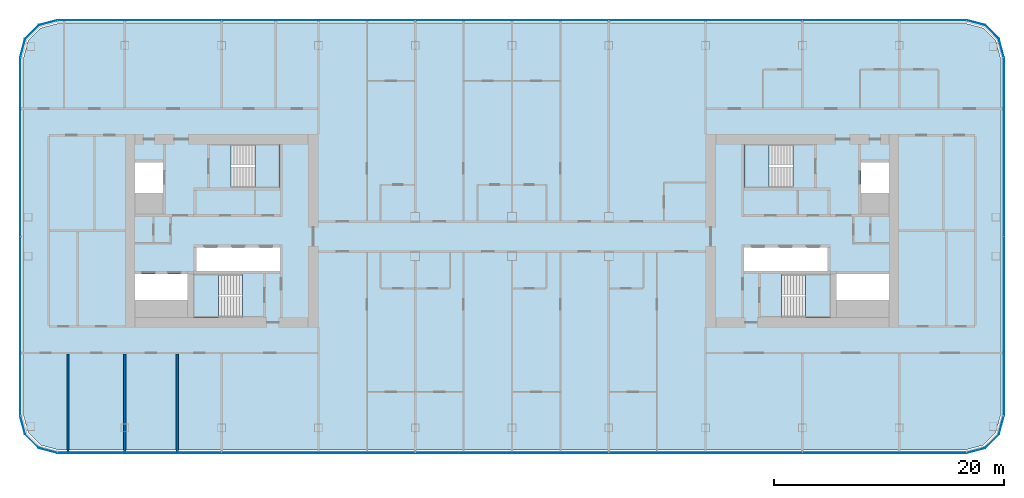
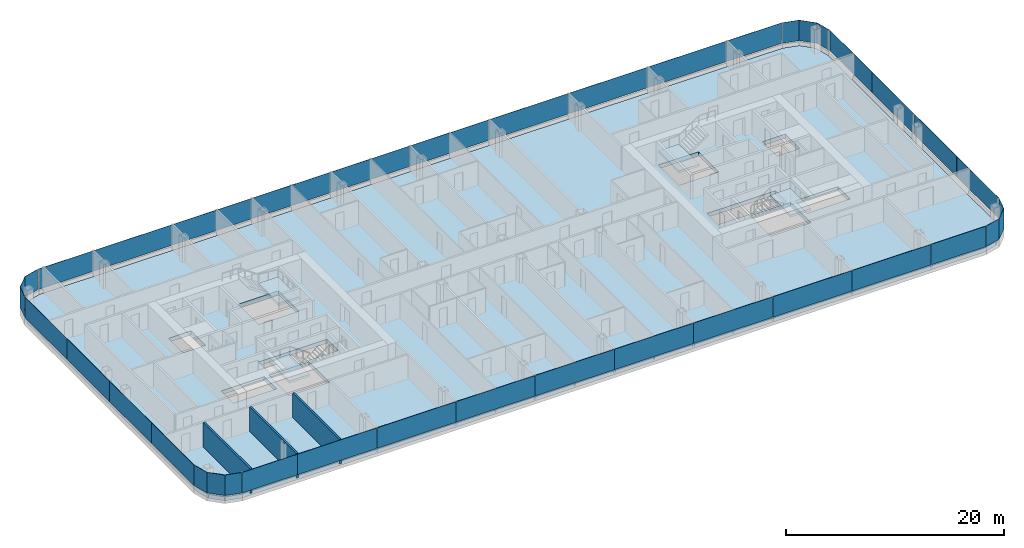
# One storey, part 11 of 26: 32 plates, 5 slabs, 3 walls, 12 elements without a shape of their own.
"""IFC4 building model written with IfcOpenShell, lengths in metres."""

from ifc_helpers import new_model, si_unit, direction, frame, frame_2d, origin, origin_2d, place, context, subcontext, project, spatial, polyline, rectangle, outline, extrude, material, layer, layer_set, type_object, element, aggregate, save


model = new_model("IFC4")

# Units and contexts
model_context = context("Model", 3, precision=1e-05, world=origin(), true_north=direction((0.0, 1.0)))
body_context = subcontext(model_context, "Body", "Model", "MODEL_VIEW")
ifc_project = project(units=[si_unit("LENGTHUNIT", "METRE"), si_unit("AREAUNIT", "SQUARE_METRE"), si_unit("VOLUMEUNIT", "CUBIC_METRE"), si_unit("PLANEANGLEUNIT", "RADIAN"), si_unit("MASSUNIT", "GRAM", prefix="KILO")], contexts=[model_context])

# Site, building, storey
site_placement = place(None, origin())
site = spatial("IfcSite", under=ifc_project, at=site_placement, CompositionType="ELEMENT")
building_placement = place(site_placement, origin())
building = spatial("IfcBuilding", under=site, at=building_placement, Name="Hakoniwa Tower and Hamabe Station Hall", CompositionType="ELEMENT")
storey_placement = place(building_placement, frame((0.0, 0.0, 159.800048828125)))
storey = spatial("IfcBuildingStorey", under=building, at=storey_placement, Name="L45", CompositionType="ELEMENT", Elevation=159.800048828125)

# Stair, slab
ifc_material_1 = material(Name="Concrete C40", Category="concrete")
stair_type = type_object("IfcStairType", Name="ESCAPE STAIR 1800", PredefinedType="HALF_TURN_STAIR", material=ifc_material_1)
stair_1_placement = place(storey_placement, origin())
stair_1 = element("IfcStair", 1, at=stair_1_placement, inside=storey, type_object=stair_type, Name="Escape stair ST-1 L45", PredefinedType="HALF_TURN_STAIR")
ifc_material_2 = material(Name="Concrete C40", Category="concrete")
ifc_layer_1 = layer(ifc_material_2, 0.25)
ifc_layer_set_1 = layer_set([ifc_layer_1], Name="CORE STAIR LANDING 250")
slab_type_1 = type_object("IfcSlabType", Name="CORE STAIR LANDING 250", PredefinedType="LANDING", material=ifc_layer_set_1)
slab_1_placement = place(storey_placement, frame((0.0, 0.0, 1.349853515625)))
slab_1 = element("IfcSlab", 2, at=slab_1_placement, type_object=slab_type_1, Name="ST-1 landing 1", PredefinedType="LANDING", context=body_context, shape_type="SweptSolid", body=[
    extrude(outline(polyline([(-22.320068359375, 3.75), (-20.14990234375, 3.75), (-20.14990234375, 7.5), (-22.320068359375, 7.5), (-22.320068359375, 3.75)])), origin(), (0.0, 0.0, 1.0), 0.25),
])
aggregate(stair_1, [slab_1])

stair_2_placement = place(storey_placement, origin())
stair_2 = element("IfcStair", 3, at=stair_2_placement, inside=storey, type_object=stair_type, Name="Escape stair ST-2 L45", PredefinedType="HALF_TURN_STAIR")
slab_2_placement = place(storey_placement, frame((0.0, 0.0, 1.349853515625)))
slab_2 = element("IfcSlab", 4, at=slab_2_placement, type_object=slab_type_1, Name="ST-2 landing 1", PredefinedType="LANDING", context=body_context, shape_type="SweptSolid", body=[
    extrude(outline(polyline([(-25.47998046875, -7.5), (-27.64990234375, -7.5), (-27.64990234375, -3.75), (-25.47998046875, -3.75), (-25.47998046875, -7.5)])), origin(), (0.0, 0.0, 1.0), 0.25),
])
aggregate(stair_2, [slab_2])

stair_3_placement = place(storey_placement, origin())
stair_3 = element("IfcStair", 5, at=stair_3_placement, inside=storey, type_object=stair_type, Name="Escape stair ST-3 L45", PredefinedType="HALF_TURN_STAIR")
slab_3_placement = place(storey_placement, frame((0.0, 0.0, 1.349853515625)))
slab_3 = element("IfcSlab", 6, at=slab_3_placement, type_object=slab_type_1, Name="ST-3 landing 1", PredefinedType="LANDING", context=body_context, shape_type="SweptSolid", body=[
    extrude(outline(polyline([(22.320068359375, 3.75), (20.14990234375, 3.75), (20.14990234375, 7.5), (22.320068359375, 7.5), (22.320068359375, 3.75)])), origin(), (0.0, 0.0, 1.0), 0.25),
])
aggregate(stair_3, [slab_3])

stair_4_placement = place(storey_placement, origin())
stair_4 = element("IfcStair", 7, at=stair_4_placement, inside=storey, type_object=stair_type, Name="Escape stair ST-4 L45", PredefinedType="HALF_TURN_STAIR")
slab_4_placement = place(storey_placement, frame((0.0, 0.0, 1.349853515625)))
slab_4 = element("IfcSlab", 8, at=slab_4_placement, type_object=slab_type_1, Name="ST-4 landing 1", PredefinedType="LANDING", context=body_context, shape_type="SweptSolid", body=[
    extrude(outline(polyline([(25.47998046875, -7.5), (27.64990234375, -7.5), (27.64990234375, -3.75), (25.47998046875, -3.75), (25.47998046875, -7.5)])), origin(), (0.0, 0.0, 1.0), 0.25),
])
aggregate(stair_4, [slab_4])

# Curtain wall, plates
ifc_material_3 = material(Name="Dark low-e laminated glass", Category="glass")
ifc_layer_2 = layer(ifc_material_3, 0.199951171875)
ifc_layer_set_2 = layer_set([ifc_layer_2], Name="CW-1 UNITISED GUEST")
curtain_wall_type = type_object("IfcCurtainWallType", Name="CW-1 UNITISED GUEST", PredefinedType="NOTDEFINED", material=ifc_layer_set_2)
curtain_wall_1_placement = place(storey_placement, origin())
curtain_wall_1 = element("IfcCurtainWall", 9, at=curtain_wall_1_placement, inside=storey, type_object=curtain_wall_type, Name="CW-1 curtain wall", PredefinedType="NOTDEFINED")
ifc_material_4 = material(Name="Dark low-e laminated glass", Category="glass")
ifc_layer_3 = layer(ifc_material_4, 0.028076171875)
ifc_layer_set_3 = layer_set([ifc_layer_3], Name="CW-1 GLASS UNIT")
plate_type = type_object("IfcPlateType", Name="CW-1 GLASS UNIT", PredefinedType="CURTAIN_PANEL", material=ifc_layer_set_3)
plate_1_placement = place(storey_placement, frame((42.68603515625, -12.154541015625, 0.35009765625), z_axis=(0.0, 0.0, 1.0), x_axis=(0.0, 1.0, 0.0)))
plate_1 = element("IfcPlate", 10, at=plate_1_placement, type_object=plate_type, Name="CW-1 glass unit", PredefinedType="CURTAIN_PANEL", context=body_context, shape_type="SweptSolid", body=[
    extrude(rectangle(XDim=7.749755859375, YDim=0.028076171875, at=origin_2d()), origin(), (0.0, 0.0, 1.0), 2.300048828125),
])
plate_2_placement = place(storey_placement, frame((42.68603515625, -4.384765625, 0.35009765625), z_axis=(0.0, 0.0, 1.0), x_axis=(0.0, 1.0, 0.0)))
plate_2 = element("IfcPlate", 11, at=plate_2_placement, type_object=plate_type, Name="CW-1 glass unit", PredefinedType="CURTAIN_PANEL", context=body_context, shape_type="SweptSolid", body=[
    extrude(rectangle(XDim=7.749755859375, YDim=0.028076171875, at=origin_2d()), origin(), (0.0, 0.0, 1.0), 2.300048828125),
])
plate_3_placement = place(storey_placement, frame((42.68603515625, 3.384765625, 0.35009765625), z_axis=(0.0, 0.0, 1.0), x_axis=(0.0, 1.0, 0.0)))
plate_3 = element("IfcPlate", 12, at=plate_3_placement, type_object=plate_type, Name="CW-1 glass unit", PredefinedType="CURTAIN_PANEL", context=body_context, shape_type="SweptSolid", body=[
    extrude(rectangle(XDim=7.749755859375, YDim=0.028076171875, at=origin_2d()), origin(), (0.0, 0.0, 1.0), 2.300048828125),
])
plate_4_placement = place(storey_placement, frame((42.68603515625, 11.154541015625, 0.35009765625), z_axis=(0.0, 0.0, 1.0), x_axis=(0.0, 1.0, 0.0)))
plate_4 = element("IfcPlate", 13, at=plate_4_placement, type_object=plate_type, Name="CW-1 glass unit", PredefinedType="CURTAIN_PANEL", context=body_context, shape_type="SweptSolid", body=[
    extrude(rectangle(XDim=7.749755859375, YDim=0.028076171875, at=origin_2d()), origin(), (0.0, 0.0, 1.0), 2.300048828125),
])
aggregate(curtain_wall_1, [plate_1, plate_2, plate_3, plate_4])

# Curtain wall, plate
curtain_wall_2_placement = place(storey_placement, origin())
curtain_wall_2 = element("IfcCurtainWall", 14, at=curtain_wall_2_placement, inside=storey, type_object=curtain_wall_type, Name="CW-1 curtain wall", PredefinedType="NOTDEFINED")
plate_5_placement = place(storey_placement, frame((0.0, 0.0, 0.349853515625)))
plate_5 = element("IfcPlate", 15, at=plate_5_placement, type_object=plate_type, Name="CW-1 curved corner unit", PredefinedType="CURTAIN_PANEL", context=body_context, shape_type="SweptSolid", body=[
    extrude(outline(polyline([(42.689697265625, 15.078125), (42.26708984375, 16.6552734375), (41.05517578125, 17.866943359375), (39.47802734375, 18.28955078125), (39.470947265625, 18.2626953125), (41.040771484375, 17.842041015625), (42.241943359375, 16.640869140625), (42.66259765625, 15.07080078125), (42.689697265625, 15.078125)])), origin(), (0.0, 0.0, 1.0), 2.300048828125),
])
aggregate(curtain_wall_2, [plate_5])

# Curtain wall, plates
curtain_wall_3_placement = place(storey_placement, origin())
curtain_wall_3 = element("IfcCurtainWall", 16, at=curtain_wall_3_placement, inside=storey, type_object=curtain_wall_type, Name="CW-1 curtain wall", PredefinedType="NOTDEFINED")
plate_6_placement = place(storey_placement, frame((36.519775390625, 18.285888671875, 0.35009765625), z_axis=(0.0, 0.0, 1.0), x_axis=(-1.0, 0.0, 0.0)))
plate_6 = element("IfcPlate", 17, at=plate_6_placement, type_object=plate_type, Name="CW-1 glass unit", PredefinedType="CURTAIN_PANEL", context=body_context, shape_type="SweptSolid", body=[
    extrude(rectangle(XDim=5.819580078125, YDim=0.028076171875, at=origin_2d()), origin(), (0.0, 0.0, 1.0), 2.300048828125),
])
plate_7_placement = place(storey_placement, frame((29.39990234375, 18.285888671875, 0.35009765625), z_axis=(0.0, 0.0, 1.0), x_axis=(-1.0, 0.0, 0.0)))
plate_7 = element("IfcPlate", 18, at=plate_7_placement, type_object=plate_type, Name="CW-1 glass unit", PredefinedType="CURTAIN_PANEL", context=body_context, shape_type="SweptSolid", body=[
    extrude(rectangle(XDim=8.3798828125, YDim=0.028076171875, at=origin_2d()), origin(), (0.0, 0.0, 1.0), 2.300048828125),
])
plate_8_placement = place(storey_placement, frame((21.0, 18.285888671875, 0.35009765625), z_axis=(0.0, 0.0, 1.0), x_axis=(-1.0, 0.0, 0.0)))
plate_8 = element("IfcPlate", 19, at=plate_8_placement, type_object=plate_type, Name="CW-1 glass unit", PredefinedType="CURTAIN_PANEL", context=body_context, shape_type="SweptSolid", body=[
    extrude(rectangle(XDim=8.3798828125, YDim=0.028076171875, at=origin_2d()), origin(), (0.0, 0.0, 1.0), 2.300048828125),
])
plate_9_placement = place(storey_placement, frame((12.60009765625, 18.285888671875, 0.35009765625), z_axis=(0.0, 0.0, 1.0), x_axis=(-1.0, 0.0, 0.0)))
plate_9 = element("IfcPlate", 20, at=plate_9_placement, type_object=plate_type, Name="CW-1 glass unit", PredefinedType="CURTAIN_PANEL", context=body_context, shape_type="SweptSolid", body=[
    extrude(rectangle(XDim=8.3798828125, YDim=0.028076171875, at=origin_2d()), origin(), (0.0, 0.0, 1.0), 2.300048828125),
])
plate_10_placement = place(storey_placement, frame((4.199951171875, 18.285888671875, 0.35009765625), z_axis=(0.0, 0.0, 1.0), x_axis=(-1.0, 0.0, 0.0)))
plate_10 = element("IfcPlate", 21, at=plate_10_placement, type_object=plate_type, Name="CW-1 glass unit", PredefinedType="CURTAIN_PANEL", context=body_context, shape_type="SweptSolid", body=[
    extrude(rectangle(XDim=8.3798828125, YDim=0.028076171875, at=origin_2d()), origin(), (0.0, 0.0, 1.0), 2.300048828125),
])
plate_11_placement = place(storey_placement, frame((-4.199951171875, 18.285888671875, 0.35009765625), z_axis=(0.0, 0.0, 1.0), x_axis=(-1.0, 0.0, 0.0)))
plate_11 = element("IfcPlate", 22, at=plate_11_placement, type_object=plate_type, Name="CW-1 glass unit", PredefinedType="CURTAIN_PANEL", context=body_context, shape_type="SweptSolid", body=[
    extrude(rectangle(XDim=8.3798828125, YDim=0.028076171875, at=origin_2d()), origin(), (0.0, 0.0, 1.0), 2.300048828125),
])
plate_12_placement = place(storey_placement, frame((-12.60009765625, 18.285888671875, 0.35009765625), z_axis=(0.0, 0.0, 1.0), x_axis=(-1.0, 0.0, 0.0)))
plate_12 = element("IfcPlate", 23, at=plate_12_placement, type_object=plate_type, Name="CW-1 glass unit", PredefinedType="CURTAIN_PANEL", context=body_context, shape_type="SweptSolid", body=[
    extrude(rectangle(XDim=8.3798828125, YDim=0.028076171875, at=origin_2d()), origin(), (0.0, 0.0, 1.0), 2.300048828125),
])
plate_13_placement = place(storey_placement, frame((-21.0, 18.285888671875, 0.35009765625), z_axis=(0.0, 0.0, 1.0), x_axis=(-1.0, 0.0, 0.0)))
plate_13 = element("IfcPlate", 24, at=plate_13_placement, type_object=plate_type, Name="CW-1 glass unit", PredefinedType="CURTAIN_PANEL", context=body_context, shape_type="SweptSolid", body=[
    extrude(rectangle(XDim=8.3798828125, YDim=0.028076171875, at=origin_2d()), origin(), (0.0, 0.0, 1.0), 2.300048828125),
])
plate_14_placement = place(storey_placement, frame((-29.39990234375, 18.285888671875, 0.35009765625), z_axis=(0.0, 0.0, 1.0), x_axis=(-1.0, 0.0, 0.0)))
plate_14 = element("IfcPlate", 25, at=plate_14_placement, type_object=plate_type, Name="CW-1 glass unit", PredefinedType="CURTAIN_PANEL", context=body_context, shape_type="SweptSolid", body=[
    extrude(rectangle(XDim=8.3798828125, YDim=0.028076171875, at=origin_2d()), origin(), (0.0, 0.0, 1.0), 2.300048828125),
])
plate_15_placement = place(storey_placement, frame((-36.519775390625, 18.285888671875, 0.35009765625), z_axis=(0.0, 0.0, 1.0), x_axis=(-1.0, 0.0, 0.0)))
plate_15 = element("IfcPlate", 26, at=plate_15_placement, type_object=plate_type, Name="CW-1 glass unit", PredefinedType="CURTAIN_PANEL", context=body_context, shape_type="SweptSolid", body=[
    extrude(rectangle(XDim=5.819580078125, YDim=0.028076171875, at=origin_2d()), origin(), (0.0, 0.0, 1.0), 2.300048828125),
])
aggregate(curtain_wall_3, [plate_6, plate_7, plate_8, plate_9, plate_10, plate_11, plate_12, plate_13, plate_14, plate_15])

# Curtain wall, plate
curtain_wall_4_placement = place(storey_placement, origin())
curtain_wall_4 = element("IfcCurtainWall", 27, at=curtain_wall_4_placement, inside=storey, type_object=curtain_wall_type, Name="CW-1 curtain wall", PredefinedType="NOTDEFINED")
plate_16_placement = place(storey_placement, frame((0.0, 0.0, 0.349853515625)))
plate_16 = element("IfcPlate", 28, at=plate_16_placement, type_object=plate_type, Name="CW-1 curved corner unit", PredefinedType="CURTAIN_PANEL", context=body_context, shape_type="SweptSolid", body=[
    extrude(outline(polyline([(-39.47802734375, 18.28955078125), (-41.05517578125, 17.866943359375), (-42.26708984375, 16.6552734375), (-42.689697265625, 15.078125), (-42.66259765625, 15.07080078125), (-42.241943359375, 16.640869140625), (-41.040771484375, 17.842041015625), (-39.470947265625, 18.2626953125), (-39.47802734375, 18.28955078125)])), origin(), (0.0, 0.0, 1.0), 2.300048828125),
])
aggregate(curtain_wall_4, [plate_16])

# Curtain wall, plates
curtain_wall_5_placement = place(storey_placement, origin())
curtain_wall_5 = element("IfcCurtainWall", 29, at=curtain_wall_5_placement, inside=storey, type_object=curtain_wall_type, Name="CW-1 curtain wall", PredefinedType="NOTDEFINED")
plate_17_placement = place(storey_placement, frame((-42.68603515625, 11.154541015625, 0.35009765625), z_axis=(0.0, 0.0, 1.0), x_axis=(0.0, -1.0, 0.0)))
plate_17 = element("IfcPlate", 30, at=plate_17_placement, type_object=plate_type, Name="CW-1 glass unit", PredefinedType="CURTAIN_PANEL", context=body_context, shape_type="SweptSolid", body=[
    extrude(rectangle(XDim=7.749755859375, YDim=0.028076171875, at=origin_2d()), origin(), (0.0, 0.0, 1.0), 2.300048828125),
])
plate_18_placement = place(storey_placement, frame((-42.68603515625, 3.384765625, 0.35009765625), z_axis=(0.0, 0.0, 1.0), x_axis=(0.0, -1.0, 0.0)))
plate_18 = element("IfcPlate", 31, at=plate_18_placement, type_object=plate_type, Name="CW-1 glass unit", PredefinedType="CURTAIN_PANEL", context=body_context, shape_type="SweptSolid", body=[
    extrude(rectangle(XDim=7.749755859375, YDim=0.028076171875, at=origin_2d()), origin(), (0.0, 0.0, 1.0), 2.300048828125),
])
plate_19_placement = place(storey_placement, frame((-42.68603515625, -4.384765625, 0.35009765625), z_axis=(0.0, 0.0, 1.0), x_axis=(0.0, -1.0, 0.0)))
plate_19 = element("IfcPlate", 32, at=plate_19_placement, type_object=plate_type, Name="CW-1 glass unit", PredefinedType="CURTAIN_PANEL", context=body_context, shape_type="SweptSolid", body=[
    extrude(rectangle(XDim=7.749755859375, YDim=0.028076171875, at=origin_2d()), origin(), (0.0, 0.0, 1.0), 2.300048828125),
])
plate_20_placement = place(storey_placement, frame((-42.68603515625, -12.154541015625, 0.35009765625), z_axis=(0.0, 0.0, 1.0), x_axis=(0.0, -1.0, 0.0)))
plate_20 = element("IfcPlate", 33, at=plate_20_placement, type_object=plate_type, Name="CW-1 glass unit", PredefinedType="CURTAIN_PANEL", context=body_context, shape_type="SweptSolid", body=[
    extrude(rectangle(XDim=7.749755859375, YDim=0.028076171875, at=origin_2d()), origin(), (0.0, 0.0, 1.0), 2.300048828125),
])
aggregate(curtain_wall_5, [plate_17, plate_18, plate_19, plate_20])

# Curtain wall, plate
curtain_wall_6_placement = place(storey_placement, origin())
curtain_wall_6 = element("IfcCurtainWall", 34, at=curtain_wall_6_placement, inside=storey, type_object=curtain_wall_type, Name="CW-1 curtain wall", PredefinedType="NOTDEFINED")
plate_21_placement = place(storey_placement, frame((0.0, 0.0, 0.349853515625)))
plate_21 = element("IfcPlate", 35, at=plate_21_placement, type_object=plate_type, Name="CW-1 curved corner unit", PredefinedType="CURTAIN_PANEL", context=body_context, shape_type="SweptSolid", body=[
    extrude(outline(polyline([(-42.689697265625, -16.078125), (-42.26708984375, -17.6552734375), (-41.05517578125, -18.866943359375), (-39.47802734375, -19.28955078125), (-39.470947265625, -19.2626953125), (-41.040771484375, -18.842041015625), (-42.241943359375, -17.640869140625), (-42.66259765625, -16.07080078125), (-42.689697265625, -16.078125)])), origin(), (0.0, 0.0, 1.0), 2.300048828125),
])
aggregate(curtain_wall_6, [plate_21])

# Curtain wall, plates
curtain_wall_7_placement = place(storey_placement, origin())
curtain_wall_7 = element("IfcCurtainWall", 36, at=curtain_wall_7_placement, inside=storey, type_object=curtain_wall_type, Name="CW-1 curtain wall", PredefinedType="NOTDEFINED")
plate_22_placement = place(storey_placement, frame((-36.519775390625, -19.285888671875, 0.35009765625), z_axis=(0.0, 0.0, 1.0), x_axis=(1.0, 0.0, 0.0)))
plate_22 = element("IfcPlate", 37, at=plate_22_placement, type_object=plate_type, Name="CW-1 glass unit", PredefinedType="CURTAIN_PANEL", context=body_context, shape_type="SweptSolid", body=[
    extrude(rectangle(XDim=5.819580078125, YDim=0.028076171875, at=origin_2d()), origin(), (0.0, 0.0, 1.0), 2.300048828125),
])
plate_23_placement = place(storey_placement, frame((-29.39990234375, -19.285888671875, 0.35009765625), z_axis=(0.0, 0.0, 1.0), x_axis=(1.0, 0.0, 0.0)))
plate_23 = element("IfcPlate", 38, at=plate_23_placement, type_object=plate_type, Name="CW-1 glass unit", PredefinedType="CURTAIN_PANEL", context=body_context, shape_type="SweptSolid", body=[
    extrude(rectangle(XDim=8.3798828125, YDim=0.028076171875, at=origin_2d()), origin(), (0.0, 0.0, 1.0), 2.300048828125),
])
plate_24_placement = place(storey_placement, frame((-21.0, -19.285888671875, 0.35009765625), z_axis=(0.0, 0.0, 1.0), x_axis=(1.0, 0.0, 0.0)))
plate_24 = element("IfcPlate", 39, at=plate_24_placement, type_object=plate_type, Name="CW-1 glass unit", PredefinedType="CURTAIN_PANEL", context=body_context, shape_type="SweptSolid", body=[
    extrude(rectangle(XDim=8.3798828125, YDim=0.028076171875, at=origin_2d()), origin(), (0.0, 0.0, 1.0), 2.300048828125),
])
plate_25_placement = place(storey_placement, frame((-12.60009765625, -19.285888671875, 0.35009765625), z_axis=(0.0, 0.0, 1.0), x_axis=(1.0, 0.0, 0.0)))
plate_25 = element("IfcPlate", 40, at=plate_25_placement, type_object=plate_type, Name="CW-1 glass unit", PredefinedType="CURTAIN_PANEL", context=body_context, shape_type="SweptSolid", body=[
    extrude(rectangle(XDim=8.3798828125, YDim=0.028076171875, at=origin_2d()), origin(), (0.0, 0.0, 1.0), 2.300048828125),
])
plate_26_placement = place(storey_placement, frame((-4.199951171875, -19.285888671875, 0.35009765625), z_axis=(0.0, 0.0, 1.0), x_axis=(1.0, 0.0, 0.0)))
plate_26 = element("IfcPlate", 41, at=plate_26_placement, type_object=plate_type, Name="CW-1 glass unit", PredefinedType="CURTAIN_PANEL", context=body_context, shape_type="SweptSolid", body=[
    extrude(rectangle(XDim=8.3798828125, YDim=0.028076171875, at=origin_2d()), origin(), (0.0, 0.0, 1.0), 2.300048828125),
])
plate_27_placement = place(storey_placement, frame((4.199951171875, -19.285888671875, 0.35009765625), z_axis=(0.0, 0.0, 1.0), x_axis=(1.0, 0.0, 0.0)))
plate_27 = element("IfcPlate", 42, at=plate_27_placement, type_object=plate_type, Name="CW-1 glass unit", PredefinedType="CURTAIN_PANEL", context=body_context, shape_type="SweptSolid", body=[
    extrude(rectangle(XDim=8.3798828125, YDim=0.028076171875, at=origin_2d()), origin(), (0.0, 0.0, 1.0), 2.300048828125),
])
plate_28_placement = place(storey_placement, frame((12.60009765625, -19.285888671875, 0.35009765625), z_axis=(0.0, 0.0, 1.0), x_axis=(1.0, 0.0, 0.0)))
plate_28 = element("IfcPlate", 43, at=plate_28_placement, type_object=plate_type, Name="CW-1 glass unit", PredefinedType="CURTAIN_PANEL", context=body_context, shape_type="SweptSolid", body=[
    extrude(rectangle(XDim=8.3798828125, YDim=0.028076171875, at=origin_2d()), origin(), (0.0, 0.0, 1.0), 2.300048828125),
])
plate_29_placement = place(storey_placement, frame((21.0, -19.285888671875, 0.35009765625), z_axis=(0.0, 0.0, 1.0), x_axis=(1.0, 0.0, 0.0)))
plate_29 = element("IfcPlate", 44, at=plate_29_placement, type_object=plate_type, Name="CW-1 glass unit", PredefinedType="CURTAIN_PANEL", context=body_context, shape_type="SweptSolid", body=[
    extrude(rectangle(XDim=8.3798828125, YDim=0.028076171875, at=origin_2d()), origin(), (0.0, 0.0, 1.0), 2.300048828125),
])
plate_30_placement = place(storey_placement, frame((29.39990234375, -19.285888671875, 0.35009765625), z_axis=(0.0, 0.0, 1.0), x_axis=(1.0, 0.0, 0.0)))
plate_30 = element("IfcPlate", 45, at=plate_30_placement, type_object=plate_type, Name="CW-1 glass unit", PredefinedType="CURTAIN_PANEL", context=body_context, shape_type="SweptSolid", body=[
    extrude(rectangle(XDim=8.3798828125, YDim=0.028076171875, at=origin_2d()), origin(), (0.0, 0.0, 1.0), 2.300048828125),
])
plate_31_placement = place(storey_placement, frame((36.519775390625, -19.285888671875, 0.35009765625), z_axis=(0.0, 0.0, 1.0), x_axis=(1.0, 0.0, 0.0)))
plate_31 = element("IfcPlate", 46, at=plate_31_placement, type_object=plate_type, Name="CW-1 glass unit", PredefinedType="CURTAIN_PANEL", context=body_context, shape_type="SweptSolid", body=[
    extrude(rectangle(XDim=5.819580078125, YDim=0.028076171875, at=origin_2d()), origin(), (0.0, 0.0, 1.0), 2.300048828125),
])
aggregate(curtain_wall_7, [plate_22, plate_23, plate_24, plate_25, plate_26, plate_27, plate_28, plate_29, plate_30, plate_31])

# Curtain wall, plate
curtain_wall_8_placement = place(storey_placement, origin())
curtain_wall_8 = element("IfcCurtainWall", 47, at=curtain_wall_8_placement, inside=storey, type_object=curtain_wall_type, Name="CW-1 curtain wall", PredefinedType="NOTDEFINED")
plate_32_placement = place(storey_placement, frame((0.0, 0.0, 0.349853515625)))
plate_32 = element("IfcPlate", 48, at=plate_32_placement, type_object=plate_type, Name="CW-1 curved corner unit", PredefinedType="CURTAIN_PANEL", context=body_context, shape_type="SweptSolid", body=[
    extrude(outline(polyline([(39.47802734375, -19.28955078125), (41.05517578125, -18.866943359375), (42.26708984375, -17.6552734375), (42.689697265625, -16.078125), (42.66259765625, -16.07080078125), (42.241943359375, -17.640869140625), (41.040771484375, -18.842041015625), (39.470947265625, -19.2626953125), (39.47802734375, -19.28955078125)])), origin(), (0.0, 0.0, 1.0), 2.300048828125),
])
aggregate(curtain_wall_8, [plate_32])

# Slab
ifc_material_5 = material(Name="Concrete C42", Category="concrete")
ifc_layer_4 = layer(ifc_material_5, 0.449951171875)
ifc_layer_set_4 = layer_set([ifc_layer_4], Name="PT FLAT PLATE 450")
slab_type_2 = type_object("IfcSlabType", Name="PT FLAT PLATE 450", PredefinedType="FLOOR", material=ifc_layer_set_4)
slab_5_placement = place(storey_placement, frame((0.0, 0.0, -0.449951171875)))
element("IfcSlab", 49, at=slab_5_placement, inside=storey, type_object=slab_type_2, Name="Floor slab L45", PredefinedType="FLOOR", context=body_context, shape_type="SweptSolid", body=[
    extrude(outline(polyline([(42.39990234375, -16.0), (42.39990234375, 15.0), (41.998046875, 16.5), (40.89990234375, 17.59814453125), (39.39990234375, 18.0), (-39.39990234375, 18.0), (-40.89990234375, 17.59814453125), (-41.998046875, 16.5), (-42.39990234375, 15.0), (-42.39990234375, -16.0), (-41.998046875, -17.5), (-40.89990234375, -18.59814453125), (-39.39990234375, -19.0), (39.39990234375, -19.0), (40.89990234375, -18.59814453125), (41.998046875, -17.5), (42.39990234375, -16.0)]), holes=[polyline([(-27.39990234375, -3.5), (-27.39990234375, -1.449951171875), (-20.14990234375, -1.449951171875), (-20.14990234375, -3.5), (-27.39990234375, -3.5)]), polyline([(-32.699951171875, 3.300048828125), (-32.699951171875, 5.949951171875), (-30.300048828125, 5.949951171875), (-30.300048828125, 3.300048828125), (-32.699951171875, 3.300048828125)]), polyline([(-32.699951171875, -6.0), (-32.699951171875, -3.75), (-28.14990234375, -3.75), (-28.14990234375, -6.0), (-32.699951171875, -6.0)]), polyline([(-24.389892578125, 3.75), (-24.389892578125, 7.5), (-20.14990234375, 7.5), (-20.14990234375, 3.75), (-24.389892578125, 3.75)]), polyline([(-27.64990234375, -7.5), (-27.64990234375, -3.75), (-23.409912109375, -3.75), (-23.409912109375, -7.5), (-27.64990234375, -7.5)]), polyline([(20.14990234375, -3.5), (20.14990234375, -1.449951171875), (27.39990234375, -1.449951171875), (27.39990234375, -3.5), (20.14990234375, -3.5)]), polyline([(30.300048828125, 3.300048828125), (30.300048828125, 5.949951171875), (32.699951171875, 5.949951171875), (32.699951171875, 3.300048828125), (30.300048828125, 3.300048828125)]), polyline([(28.14990234375, -6.0), (28.14990234375, -3.75), (32.699951171875, -3.75), (32.699951171875, -6.0), (28.14990234375, -6.0)]), polyline([(20.14990234375, 3.75), (20.14990234375, 7.5), (24.389892578125, 7.5), (24.389892578125, 3.75), (20.14990234375, 3.75)]), polyline([(23.409912109375, -7.5), (23.409912109375, -3.75), (27.64990234375, -3.75), (27.64990234375, -7.5), (23.409912109375, -7.5)])]), origin(), (0.0, 0.0, 1.0), 0.449951171875),
])

# Walls
ifc_material_6 = material(Name="Fire-rated gypsum board partition", Category="gypsum")
ifc_layer_5 = layer(ifc_material_6, 0.199951171875)
ifc_layer_set_5 = layer_set([ifc_layer_5], Name="Party Wall 200")
wall_type = type_object("IfcWallType", Name="Party Wall 200", PredefinedType="PARTITIONING", material=ifc_layer_set_5)
for number, where, z_axis, x_axis, name in (
    (50, (-38.530029296875, -19.300048828125, 0.0), (0.0, 0.0, 1.0), (0.0, 1.0, 0.0), "GW-L45-028"),
    (51, (-33.60009765625, -19.300048828125, 0.0), (0.0, 0.0, 1.0), (0.0, 1.0, 0.0), "GW-L45-031"),
    (52, (-29.06005859375, -19.300048828125, 0.0), (0.0, 0.0, 1.0), (0.0, 1.0, 0.0), "GW-L45-033"),
):
    element("IfcWall", number, at=place(storey_placement, frame(where, z_axis=z_axis, x_axis=x_axis)), inside=storey, type_object=wall_type, Name=name, PredefinedType="PARTITIONING", context=body_context, shape_type="SweptSolid", body=[
        extrude(rectangle(XDim=8.60009765625, YDim=0.199951171875, at=frame_2d((4.300048828125, 0.0))), origin(), (0.0, 0.0, 1.0), 2.75),
    ])

save(model, "model.ifc")
